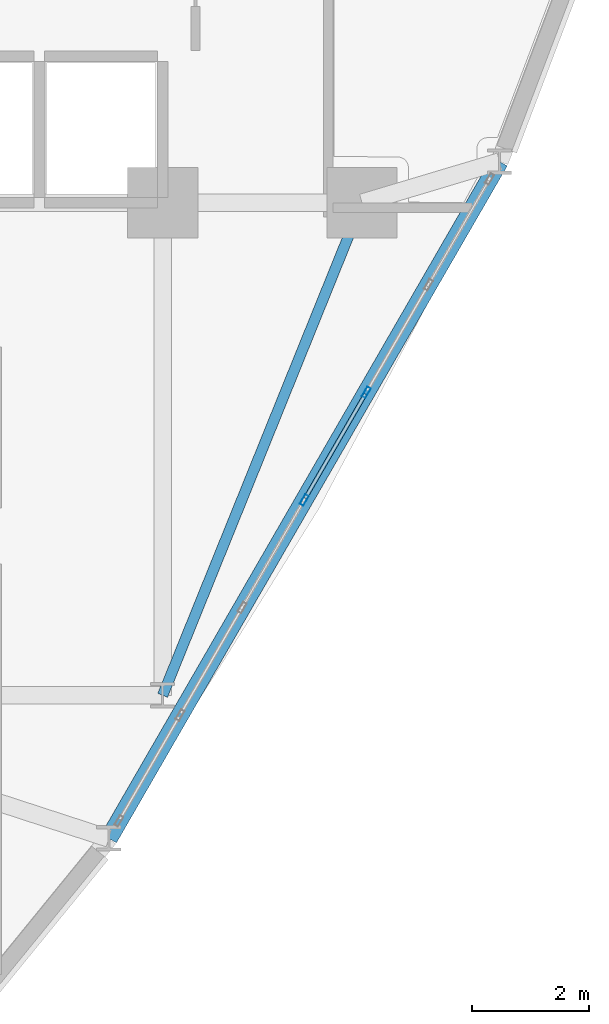
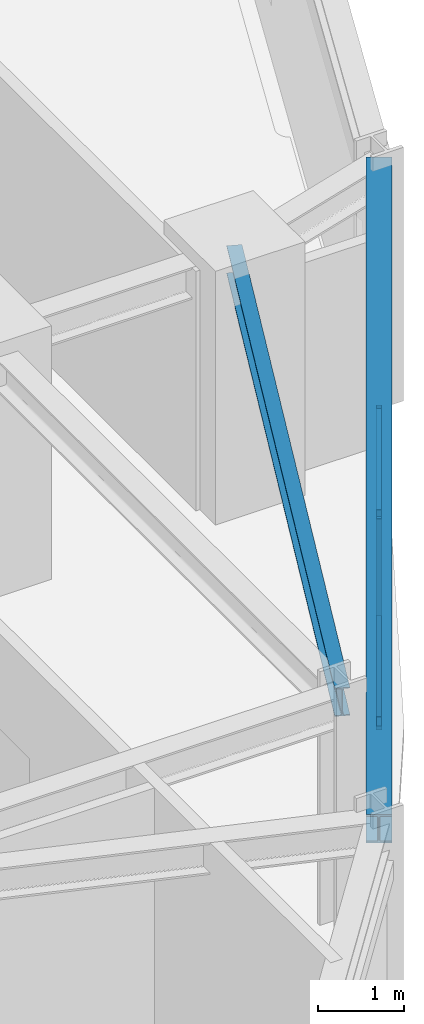
# One storey, part 7 of 18: 4 members, 2 beams, 1 element without a shape of its own.
"""IFC4 building model written with IfcOpenShell, lengths in metres."""

from ifc_helpers import new_model, si_unit, derived_unit, direction, frame, origin, origin_2d, place, context, subcontext, project, spatial, hollow_rectangle, i_section, extrude, source, transform, mapped, material, layer, layer_set, material_profile, profile_set, type_object, element, aggregate, save


model = new_model("IFC4")

# Units and contexts
model_context = context("Model", 3, precision=1e-05, world=origin(), true_north=direction((0.0, 1.0)))
body_context = subcontext(model_context, "Body", "Model", "MODEL_VIEW")
ifc_project = project(units=[si_unit("LENGTHUNIT", "METRE"), si_unit("AREAUNIT", "SQUARE_METRE"), si_unit("VOLUMEUNIT", "CUBIC_METRE"), si_unit("PLANEANGLEUNIT", "RADIAN"), si_unit("MASSUNIT", "GRAM", prefix="KILO"), derived_unit("THERMALTRANSMITTANCEUNIT", [(si_unit("POWERUNIT", "WATT"), 1), (si_unit("LENGTHUNIT", "METRE"), -2), (si_unit("THERMODYNAMICTEMPERATUREUNIT", "KELVIN"), -1)])], contexts=[model_context])

# Site, building, storey
site_placement = place(None, origin())
site = spatial("IfcSite", under=ifc_project, at=site_placement, CompositionType="ELEMENT")
building_placement = place(site_placement, origin())
building = spatial("IfcBuilding", under=site, at=building_placement, Name="Korsvarv Bourse and Concert Hall", CompositionType="ELEMENT")
storey_placement = place(building_placement, frame((0.0, 0.0, 139.800048828125)))
storey = spatial("IfcBuildingStorey", under=building, at=storey_placement, Name="L35", CompositionType="ELEMENT", Elevation=139.800048828125)

# Beams
ifc_material_1 = material(Name="Steel S355", Category="steel")
ifc_material_profile_1 = material_profile(ifc_material_1, i_section(OverallWidth=0.179931640625, OverallDepth=0.39990234375, WebThickness=0.008544921875, FlangeThickness=0.013427734375, FilletRadius=0.02099609375, at=origin_2d()), Name="IPE 400")
ifc_profile_set_1 = profile_set([ifc_material_profile_1], Name="Steel S355")
beam_type_1 = type_object("IfcBeamType", Name="BM-IPE400", PredefinedType="JOIST", material=ifc_profile_set_1)
shared_shape_1 = source(origin(), body_context, "Body", "SweptSolid", [
    extrude(i_section(OverallWidth=0.179931640625, OverallDepth=0.39990234375, WebThickness=0.008544921875, FlangeThickness=0.013427734375, FilletRadius=0.02099609375, at=origin_2d()), origin(), (0.0, 0.0, 1.0), 9.06201171875),
])
beam_1_placement = place(storey_placement, frame((47.800048828125, 32.39990234375, 3.199951171875), z_axis=(-0.375210394783, -0.926939674222, 0.0), x_axis=(0.926939674222, -0.375210394783, 0.0)))
element("IfcBeam", 1, at=beam_1_placement, inside=storey, type_object=beam_type_1, Name="L35 beam J-05", PredefinedType="JOIST", context=body_context, shape_type="MappedRepresentation", body=[
    mapped(shared_shape_1, transform((0.0, 0.0, 0.0), scale=1.0)),
])
ifc_material_profile_2 = material_profile(ifc_material_1, i_section(OverallWidth=0.300048828125, OverallDepth=0.39990234375, WebThickness=0.013427734375, FlangeThickness=0.02392578125, FilletRadius=0.02099609375, at=origin_2d()), Name="HEB 400")
ifc_profile_set_2 = profile_set([ifc_material_profile_2], Name="Steel S355")
beam_type_2 = type_object("IfcBeamType", Name="BM-HEB400", PredefinedType="SPANDREL", material=ifc_profile_set_2)
shared_shape_2 = source(origin(), body_context, "Body", "SweptSolid", [
    extrude(i_section(OverallWidth=0.300048828125, OverallDepth=0.39990234375, WebThickness=0.013427734375, FlangeThickness=0.02392578125, FilletRadius=0.02099609375, at=origin_2d()), origin(), (0.0, 0.0, 1.0), 13.327392578125),
])
beam_2_placement = place(storey_placement, frame((43.482421875, 21.560546875, 3.199951171875), z_axis=(0.499988853166, 0.866031839316, 0.0), x_axis=(-0.866031839316, 0.499988853166, 0.0)))
element("IfcBeam", 2, at=beam_2_placement, inside=storey, type_object=beam_type_2, Name="L35 beam B-09", PredefinedType="SPANDREL", context=body_context, shape_type="MappedRepresentation", body=[
    mapped(shared_shape_2, transform((0.0, 0.0, 0.0), scale=1.0)),
])

# Curtain wall, members
ifc_material_2 = material(Name="Anodised aluminium and triple low-E glazing", Category="glass")
ifc_layer = layer(ifc_material_2, 0.2099609375)
ifc_layer_set = layer_set([ifc_layer], Name="Anodised aluminium and triple low-E glazing")
curtain_wall_type = type_object("IfcCurtainWallType", Name="CW-SYS-2", PredefinedType="NOTDEFINED", material=ifc_layer_set)
curtain_wall_placement = place(storey_placement, origin())
curtain_wall = element("IfcCurtainWall", 3, at=curtain_wall_placement, inside=storey, type_object=curtain_wall_type, Name="L35 CW2 curtain wall CW-L35-F11", PredefinedType="NOTDEFINED")
ifc_material_3 = material(Name="Extruded aluminium EN AW-6063 T66", Category="aluminium")
ifc_material_profile_3 = material_profile(ifc_material_3, hollow_rectangle(XDim=0.070068359375, YDim=0.18994140625, WallThickness=0.0048828125, at=origin_2d()), Name="ALU-M 70x190")
ifc_profile_set_3 = profile_set([ifc_material_profile_3], Name="Extruded aluminium EN AW-6063 T66")
member_type_1 = type_object("IfcMemberType", Name="CWM-190", PredefinedType="MULLION", material=ifc_profile_set_3)
shared_shape_3 = source(origin(), body_context, "Body", "SweptSolid", [
    extrude(hollow_rectangle(XDim=0.070068359375, YDim=0.18994140625, WallThickness=0.0048828125, at=origin_2d()), origin(), (0.0, 0.0, 1.0), 3.0),
])
member_1_placement = place(storey_placement, frame((46.814208984375, 27.33154296875, 0.0), z_axis=(0.0, 0.0, 1.0), x_axis=(-0.866025213439, 0.500000329688, 0.0)))
member_1 = element("IfcMember", 4, at=member_1_placement, type_object=member_type_1, Name="CW2 mullion 4", PredefinedType="MULLION", context=body_context, shape_type="MappedRepresentation", body=[
    mapped(shared_shape_3, transform((0.0, 0.0, 0.0), scale=1.0)),
])
member_2_placement = place(storey_placement, frame((47.873291015625, 29.166015625, 0.0), z_axis=(0.0, 0.0, 1.0), x_axis=(-0.866025213439, 0.500000329688, 0.0)))
member_2 = element("IfcMember", 5, at=member_2_placement, type_object=member_type_1, Name="CW2 mullion 5", PredefinedType="MULLION", context=body_context, shape_type="MappedRepresentation", body=[
    mapped(shared_shape_3, transform((0.0, 0.0, 0.0), scale=1.0)),
])
ifc_material_profile_4 = material_profile(ifc_material_3, hollow_rectangle(XDim=0.06494140625, YDim=0.139892578125, WallThickness=0.00390625, at=origin_2d()), Name="ALU-T 65x140")
ifc_profile_set_4 = profile_set([ifc_material_profile_4], Name="Extruded aluminium EN AW-6063 T66")
member_type_2 = type_object("IfcMemberType", Name="CWT-140", PredefinedType="USERDEFINED", material=ifc_profile_set_4)
shared_shape_4 = source(origin(), body_context, "Body", "SweptSolid", [
    extrude(hollow_rectangle(XDim=0.06494140625, YDim=0.139892578125, WallThickness=0.00390625, at=origin_2d()), origin(), (0.0, 0.0, 1.0), 2.04833984375),
])
member_3_placement = place(storey_placement, frame((46.831787109375, 27.36181640625, 0.032470703125), z_axis=(0.499997581422, 0.866026800146, 0.0), x_axis=(-0.866026800146, 0.499997581422, 0.0)))
member_3 = element("IfcMember", 6, at=member_3_placement, type_object=member_type_2, Name="CW2 transom 4.1", ObjectType="TRANSOM", PredefinedType="USERDEFINED", context=body_context, shape_type="MappedRepresentation", body=[
    mapped(shared_shape_4, transform((0.0, 0.0, 0.0), scale=1.0)),
])
member_4_placement = place(storey_placement, frame((46.831787109375, 27.36181640625, 2.967529296875), z_axis=(0.499997581422, 0.866026800146, 0.0), x_axis=(-0.866026800146, 0.499997581422, 0.0)))
member_4 = element("IfcMember", 7, at=member_4_placement, type_object=member_type_2, Name="CW2 transom 4.2", ObjectType="TRANSOM", PredefinedType="USERDEFINED", context=body_context, shape_type="MappedRepresentation", body=[
    mapped(shared_shape_4, transform((0.0, 0.0, 0.0), scale=1.0)),
])
aggregate(curtain_wall, [member_1, member_2, member_3, member_4])

save(model, "model.ifc")
